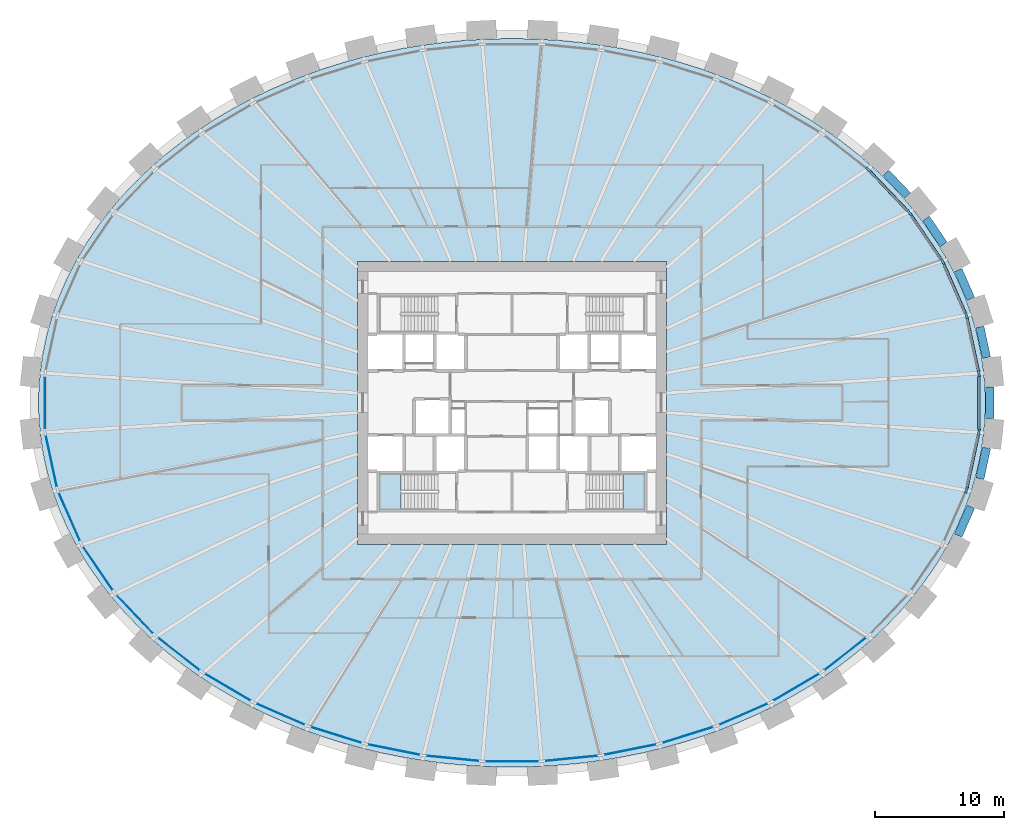
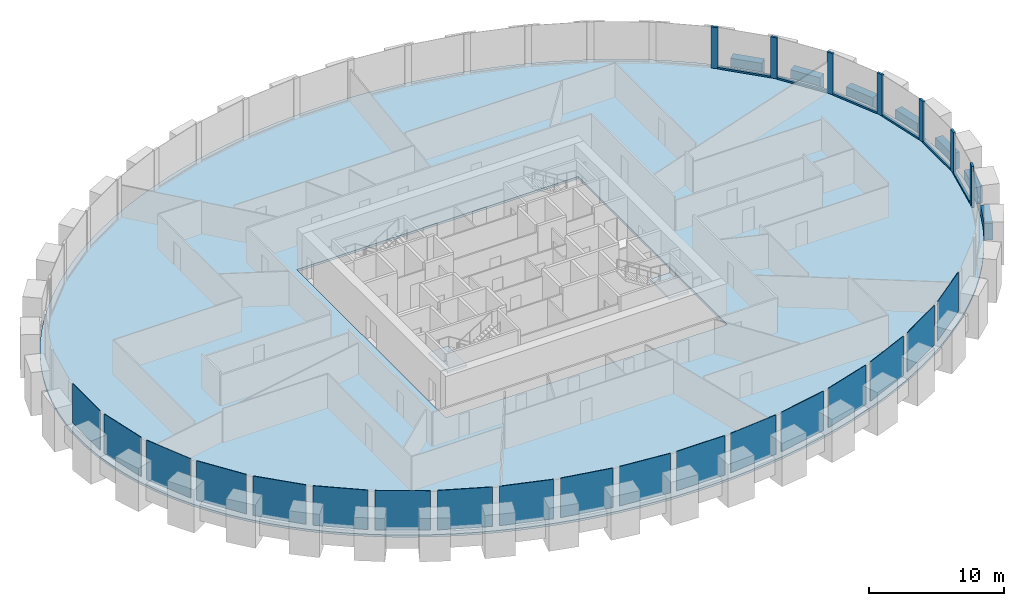
# One storey, part 4 of 10: 18 plates, 13 members, 7 beams, 3 slabs, 3 elements without a shape of their own.
"""IFC4 building model written with IfcOpenShell, lengths in metres."""

from ifc_helpers import new_model, si_unit, direction, frame, origin, origin_2d, place, context, subcontext, project, spatial, polyline, rectangle, outline, extrude, source, transform, mapped, material, layer, layer_set, material_profile, profile_set, type_object, element, aggregate, save


model = new_model("IFC4")

# Units and contexts
model_context = context("Model", 3, precision=1e-05, world=origin(), true_north=direction((0.0, 1.0)))
body_context = subcontext(model_context, "Body", "Model", "MODEL_VIEW")
ifc_project = project(units=[si_unit("LENGTHUNIT", "METRE"), si_unit("AREAUNIT", "SQUARE_METRE"), si_unit("VOLUMEUNIT", "CUBIC_METRE"), si_unit("PLANEANGLEUNIT", "RADIAN"), si_unit("MASSUNIT", "GRAM", prefix="KILO")], contexts=[model_context])

# Site, building, storey
site_placement = place(None, origin())
site = spatial("IfcSite", under=ifc_project, at=site_placement, CompositionType="ELEMENT")
building_placement = place(site_placement, origin())
building = spatial("IfcBuilding", under=site, at=building_placement, Name="Embergate Tower", CompositionType="ELEMENT")
storey_placement = place(building_placement, frame((0.0, 0.0, 167.699951171875)))
storey = spatial("IfcBuildingStorey", under=building, at=storey_placement, Name="L37", CompositionType="ELEMENT", Elevation=167.699951171875)

# Beams
ifc_material_1 = material(Name="Concrete C70", Category="concrete")
ifc_material_profile_1 = material_profile(ifc_material_1, rectangle(XDim=0.64990234375, YDim=1.5, at=origin_2d()), Name="RC 650x1500")
ifc_profile_set_1 = profile_set([ifc_material_profile_1], Name="Concrete C70")
beam_type = type_object("IfcBeamType", Name="Spandrel beam RC 650x1500 C70", PredefinedType="BEAM", material=ifc_profile_set_1)
shared_shape_1 = source(origin(), body_context, "Body", "SweptSolid", [
    extrude(rectangle(XDim=0.64990234375, YDim=1.5, at=origin_2d()), origin(), (0.0, 0.0, 1.0), 2.439697265625),
])
for number, where, z_axis, x_axis, name in (
    (1, (36.87109375, 3.508056640625, 0.0), (-0.210738503873, 0.977542471193, 0.0), (-0.977542471193, -0.210738503873, 0.0), "SPN-L37-00"),
    (2, (36.35693359375, -5.89306640625, 0.0), (0.210738503873, 0.977542471193, 0.0), (-0.977542471193, 0.210738503873, 0.0), "SPN-L37-42"),
):
    element("IfcBeam", number, at=place(storey_placement, frame(where, z_axis=z_axis, x_axis=x_axis)), inside=storey, type_object=beam_type, Name=name, PredefinedType="BEAM", context=body_context, shape_type="MappedRepresentation", body=[
        mapped(shared_shape_1, transform((0.0, 0.0, 0.0))),
    ])
shared_shape_2 = source(origin(), body_context, "Body", "SweptSolid", [
    extrude(rectangle(XDim=0.64990234375, YDim=1.5, at=origin_2d()), origin(), (0.0, 0.0, 1.0), 2.436279296875),
])
for number, where, z_axis, x_axis, name in (
    (3, (35.64990234375, 8.0810546875, 0.0), (-0.401838418441, 0.915710590452, 0.0), (-0.915710590452, -0.401838418441, 0.0), "SPN-L37-01"),
    (4, (34.6708984375, -10.31201171875, 0.0), (0.401838418441, 0.915710590452, 0.0), (-0.915710590452, 0.401838418441, 0.0), "SPN-L37-41"),
):
    element("IfcBeam", number, at=place(storey_placement, frame(where, z_axis=z_axis, x_axis=x_axis)), inside=storey, type_object=beam_type, Name=name, PredefinedType="BEAM", context=body_context, shape_type="MappedRepresentation", body=[
        mapped(shared_shape_2, transform((0.0, 0.0, 0.0))),
    ])
shared_shape_3 = source(origin(), body_context, "Body", "SweptSolid", [
    extrude(rectangle(XDim=0.64990234375, YDim=1.5, at=origin_2d()), origin(), (0.0, 0.0, 1.0), 2.42724609375),
])
beam_1_placement = place(storey_placement, frame((33.5400390625, 12.31494140625, 0.0), z_axis=(-0.562359541569, 0.826892826191, 0.0), x_axis=(-0.826892826191, -0.562359541569, 0.0)))
element("IfcBeam", 5, at=beam_1_placement, inside=storey, type_object=beam_type, Name="SPN-L37-02", PredefinedType="BEAM", context=body_context, shape_type="MappedRepresentation", body=[
    mapped(shared_shape_3, transform((0.0, 0.0, 0.0))),
])
shared_shape_4 = source(origin(), body_context, "Body", "SweptSolid", [
    extrude(rectangle(XDim=0.64990234375, YDim=1.5, at=origin_2d()), origin(), (0.0, 0.0, 1.0), 2.421630859375),
])
beam_2_placement = place(storey_placement, frame((30.72998046875, 16.111083984375, 0.0), z_axis=(-0.68996725843, 0.723840577955, 0.0), x_axis=(-0.723840577955, -0.68996725843, 0.0)))
element("IfcBeam", 6, at=beam_2_placement, inside=storey, type_object=beam_type, Name="SPN-L37-03", PredefinedType="BEAM", context=body_context, shape_type="MappedRepresentation", body=[
    mapped(shared_shape_4, transform((0.0, 0.0, 0.0))),
])
shared_shape_5 = source(origin(), body_context, "Body", "SweptSolid", [
    extrude(rectangle(XDim=0.64990234375, YDim=1.5, at=origin_2d()), origin(), (0.0, 0.0, 1.0), 2.44189453125),
])
beam_3_placement = place(storey_placement, frame((37.114013671875, -1.220947265625, 0.0), z_axis=(0.0, 1.0, 0.0), x_axis=(-1.0, 0.0, 0.0)))
element("IfcBeam", 7, at=beam_3_placement, inside=storey, type_object=beam_type, Name="SPN-L37-43", PredefinedType="BEAM", context=body_context, shape_type="MappedRepresentation", body=[
    mapped(shared_shape_5, transform((0.0, 0.0, 0.0))),
])

# Curtain wall, members
ifc_material_2 = material(Name="Aluminium and glass", Category="aluminium")
curtain_wall_type = type_object("IfcCurtainWallType", Name="Recessed office glazing", PredefinedType="NOTDEFINED", material=ifc_material_2)
curtain_wall_placement = place(storey_placement, origin())
curtain_wall = element("IfcCurtainWall", 8, at=curtain_wall_placement, inside=storey, type_object=curtain_wall_type, Name="Recessed office glazing ring", ObjectType="RECESSED OFFICE GLAZING", PredefinedType="USERDEFINED")
ifc_material_3 = material(Name="Aluminium, thermally broken", Category="aluminium")
ifc_material_profile_2 = material_profile(ifc_material_3, rectangle(XDim=0.179931640625, YDim=0.52001953125, at=origin_2d()), Name="AL 520x180")
ifc_profile_set_2 = profile_set([ifc_material_profile_2], Name="Aluminium, thermally broken")
member_type_1 = type_object("IfcMemberType", Name="Office mullion", PredefinedType="MULLION", material=ifc_profile_set_2)
shared_shape_6 = source(origin(), body_context, "Body", "SweptSolid", [
    extrude(rectangle(XDim=0.179931640625, YDim=0.52001953125, at=origin_2d()), origin(), (0.0, 0.0, 1.0), 3.699951171875),
])
member_1_placement = place(storey_placement, frame((36.281494140625, 2.287841796875, 0.0), z_axis=(0.0, 0.0, 1.0), x_axis=(-0.994384954736, -0.105823257345, 0.0)))
member_1 = element("IfcMember", 9, at=member_1_placement, type_object=member_type_1, Name="CW mullion 1", PredefinedType="MULLION", context=body_context, shape_type="MappedRepresentation", body=[
    mapped(shared_shape_6, transform((0.0, 0.0, 0.0))),
])
member_2_placement = place(storey_placement, frame((35.318115234375, 6.763427734375, 0.0), z_axis=(0.0, 0.0, 1.0), x_axis=(-0.951497797992, -0.307655554826, 0.0)))
member_2 = element("IfcMember", 10, at=member_2_placement, type_object=member_type_1, Name="CW mullion 2", PredefinedType="MULLION", context=body_context, shape_type="MappedRepresentation", body=[
    mapped(shared_shape_6, transform((0.0, 0.0, 0.0))),
])
member_3_placement = place(storey_placement, frame((33.4765625, 10.96240234375, 0.0), z_axis=(0.0, 0.0, 1.0), x_axis=(-0.875001895832, -0.484119491748, 0.0)))
member_3 = element("IfcMember", 11, at=member_3_placement, type_object=member_type_1, Name="CW mullion 3", PredefinedType="MULLION", context=body_context, shape_type="MappedRepresentation", body=[
    mapped(shared_shape_6, transform((0.0, 0.0, 0.0))),
])
member_4_placement = place(storey_placement, frame((30.89306640625, 14.76123046875, 0.0), z_axis=(0.0, 0.0, 1.0), x_axis=(-0.777872564355, -0.628422050555, 0.0)))
member_4 = element("IfcMember", 12, at=member_4_placement, type_object=member_type_1, Name="CW mullion 4", PredefinedType="MULLION", context=body_context, shape_type="MappedRepresentation", body=[
    mapped(shared_shape_6, transform((0.0, 0.0, 0.0))),
])
member_5_placement = place(storey_placement, frame((27.716796875, 18.092041015625, 0.0), z_axis=(0.0, 0.0, 1.0), x_axis=(-0.671226533956, -0.741252278319, 0.0)))
member_5 = element("IfcMember", 13, at=member_5_placement, type_object=member_type_1, Name="CW mullion 5", PredefinedType="MULLION", context=body_context, shape_type="MappedRepresentation", body=[
    mapped(shared_shape_6, transform((0.0, 0.0, 0.0))),
])
member_6_placement = place(storey_placement, frame((35.318115234375, -6.763427734375, 0.0), z_axis=(0.0, 0.0, 1.0), x_axis=(-0.951497797992, 0.307655554826, 0.0)))
member_6 = element("IfcMember", 14, at=member_6_placement, type_object=member_type_1, Name="CW mullion 43", PredefinedType="MULLION", context=body_context, shape_type="MappedRepresentation", body=[
    mapped(shared_shape_6, transform((0.0, 0.0, 0.0))),
])
member_7_placement = place(storey_placement, frame((36.281494140625, -2.287841796875, 0.0), z_axis=(0.0, 0.0, 1.0), x_axis=(-0.994384954736, 0.105823257345, 0.0)))
member_7 = element("IfcMember", 15, at=member_7_placement, type_object=member_type_1, Name="CW mullion 44", PredefinedType="MULLION", context=body_context, shape_type="MappedRepresentation", body=[
    mapped(shared_shape_6, transform((0.0, 0.0, 0.0))),
])
ifc_material_profile_3 = material_profile(ifc_material_3, rectangle(XDim=0.179931640625, YDim=0.14990234375, at=origin_2d()), Name="AL 150x180")
ifc_profile_set_3 = profile_set([ifc_material_profile_3], Name="Aluminium, thermally broken")
member_type_2 = type_object("IfcMemberType", Name="Office sill transom", PredefinedType="USERDEFINED", material=ifc_profile_set_3)
shared_shape_7 = source(origin(), body_context, "Body", "SweptSolid", [
    extrude(rectangle(XDim=0.179931640625, YDim=0.14990234375, at=origin_2d()), origin(), (0.0, 0.0, 1.0), 4.05810546875),
])
member_8_placement = place(storey_placement, frame((36.226806640625, 2.5419921875, 0.074951171875), z_axis=(-0.210441087969, 0.977606540738, 0.0), x_axis=(-0.977606540738, -0.210441087969, 0.0)))
member_8 = element("IfcMember", 16, at=member_8_placement, type_object=member_type_2, Name="CW transom 1.1", ObjectType="TRANSOM", PredefinedType="USERDEFINED", context=body_context, shape_type="MappedRepresentation", body=[
    mapped(shared_shape_7, transform((0.0, 0.0, 0.0))),
])
member_9_placement = place(storey_placement, frame((35.372802734375, -6.50927734375, 0.074951171875), z_axis=(0.210441087969, 0.977606540738, 0.0), x_axis=(-0.977606540738, 0.210441087969, 0.0)))
member_9 = element("IfcMember", 17, at=member_9_placement, type_object=member_type_2, Name="CW transom 43.1", ObjectType="TRANSOM", PredefinedType="USERDEFINED", context=body_context, shape_type="MappedRepresentation", body=[
    mapped(shared_shape_7, transform((0.0, 0.0, 0.0))),
])
shared_shape_8 = source(origin(), body_context, "Body", "SweptSolid", [
    extrude(rectangle(XDim=0.179931640625, YDim=0.14990234375, at=origin_2d()), origin(), (0.0, 0.0, 1.0), 4.06494140625),
])
member_10_placement = place(storey_placement, frame((35.213623046875, 7.001708984375, 0.074951171875), z_axis=(-0.401675633899, 0.91578200743, 0.0), x_axis=(-0.91578200743, -0.401675633899, 0.0)))
member_10 = element("IfcMember", 18, at=member_10_placement, type_object=member_type_2, Name="CW transom 2.1", ObjectType="TRANSOM", PredefinedType="USERDEFINED", context=body_context, shape_type="MappedRepresentation", body=[
    mapped(shared_shape_8, transform((0.0, 0.0, 0.0))),
])
shared_shape_9 = source(origin(), body_context, "Body", "SweptSolid", [
    extrude(rectangle(XDim=0.179931640625, YDim=0.14990234375, at=origin_2d()), origin(), (0.0, 0.0, 1.0), 4.073974609375),
])
member_11_placement = place(storey_placement, frame((33.330322265625, 11.177490234375, 0.074951171875), z_axis=(-0.562337885641, 0.826907553704, 0.0), x_axis=(-0.826907553704, -0.562337885641, 0.0)))
member_11 = element("IfcMember", 19, at=member_11_placement, type_object=member_type_2, Name="CW transom 3.1", ObjectType="TRANSOM", PredefinedType="USERDEFINED", context=body_context, shape_type="MappedRepresentation", body=[
    mapped(shared_shape_9, transform((0.0, 0.0, 0.0))),
])
shared_shape_10 = source(origin(), body_context, "Body", "SweptSolid", [
    extrude(rectangle(XDim=0.179931640625, YDim=0.14990234375, at=origin_2d()), origin(), (0.0, 0.0, 1.0), 4.082763671875),
])
member_12_placement = place(storey_placement, frame((30.713623046875, 14.949462890625, 0.074951171875), z_axis=(-0.690134333582, 0.723681284552, 0.0), x_axis=(-0.723681284552, -0.690134333582, 0.0)))
member_12 = element("IfcMember", 20, at=member_12_placement, type_object=member_type_2, Name="CW transom 4.1", ObjectType="TRANSOM", PredefinedType="USERDEFINED", context=body_context, shape_type="MappedRepresentation", body=[
    mapped(shared_shape_10, transform((0.0, 0.0, 0.0))),
])
shared_shape_11 = source(origin(), body_context, "Body", "SweptSolid", [
    extrude(rectangle(XDim=0.179931640625, YDim=0.14990234375, at=origin_2d()), origin(), (0.0, 0.0, 1.0), 4.0556640625),
])
member_13_placement = place(storey_placement, frame((36.281494140625, -2.02783203125, 0.074951171875), z_axis=(0.0, 1.0, 0.0), x_axis=(-1.0, 0.0, 0.0)))
member_13 = element("IfcMember", 21, at=member_13_placement, type_object=member_type_2, Name="CW transom 44.1", ObjectType="TRANSOM", PredefinedType="USERDEFINED", context=body_context, shape_type="MappedRepresentation", body=[
    mapped(shared_shape_11, transform((0.0, 0.0, 0.0))),
])

# Slab
ifc_material_4 = material(Name="Concrete C40", Category="concrete")
ifc_layer_1 = layer(ifc_material_4, 0.199951171875)
ifc_layer_set_1 = layer_set([ifc_layer_1], Name="Concrete C40")
slab_type_1 = type_object("IfcSlabType", Name="Composite floor slab C40 200", PredefinedType="FLOOR", material=ifc_layer_set_1)
shared_shape_12 = source(origin(), body_context, "Body", "SweptSolid", [
    extrude(outline(polyline([(0.0, 0.0), (1.55615234375, 0.0), (3.111083984375, 0.051025390625), (4.6669921875, 0.153076171875), (6.215087890625, 0.30517578125), (7.754150390625, 0.507080078125), (9.296142578125, 0.76318359375), (10.822021484375, 1.069091796875), (12.3291015625, 1.425048828125), (13.840087890625, 1.837158203125), (15.3251953125, 2.300048828125), (16.782958984375, 2.81201171875), (18.244140625, 3.38623046875), (19.670166015625, 4.010009765625), (21.05810546875, 4.68115234375), (22.445068359375, 5.422119140625), (23.7861328125, 6.210205078125), (25.0791015625, 7.045166015625), (26.363037109375, 7.95703125), (27.590087890625, 8.9140625), (28.756103515625, 9.9150390625), (29.900146484375, 10.9990234375), (30.97412109375, 12.125), (31.97412109375, 13.2900390625), (32.93310546875, 14.5400390625), (33.80712890625, 15.826171875), (34.594970703125, 17.14501953125), (35.317138671875, 18.541015625), (35.942138671875, 19.965087890625), (36.467041015625, 21.4130859375), (36.901123046875, 22.917236328125), (37.22802734375, 24.43603515625), (37.447021484375, 25.968017578125), (37.55810546875, 27.52001953125), (37.55810546875, 29.07421875), (37.447021484375, 30.626220703125), (37.22802734375, 32.158203125), (36.901123046875, 33.677001953125), (36.467041015625, 35.18115234375), (35.942138671875, 36.629150390625), (35.317138671875, 38.05322265625), (34.594970703125, 39.44921875), (33.80712890625, 40.76806640625), (32.93310546875, 42.05419921875), (31.97412109375, 43.30419921875), (30.97412109375, 44.46923828125), (29.900146484375, 45.59521484375), (28.756103515625, 46.67919921875), (27.590087890625, 47.68017578125), (26.363037109375, 48.63720703125), (25.0791015625, 49.549072265625), (23.7861328125, 50.384033203125), (22.445068359375, 51.172119140625), (21.05810546875, 51.9130859375), (19.670166015625, 52.584228515625), (18.244140625, 53.2080078125), (16.782958984375, 53.7822265625), (15.3251953125, 54.294189453125), (13.840087890625, 54.757080078125), (12.3291015625, 55.169189453125), (10.822021484375, 55.525146484375), (9.296142578125, 55.8310546875), (7.754150390625, 56.087158203125), (6.215087890625, 56.2890625), (4.6669921875, 56.441162109375), (3.111083984375, 56.543212890625), (1.55615234375, 56.59423828125), (0.0, 56.59423828125), (-1.554931640625, 56.543212890625), (-3.11083984375, 56.441162109375), (-4.658935546875, 56.2890625), (-6.197998046875, 56.087158203125), (-7.739990234375, 55.8310546875), (-9.265869140625, 55.525146484375), (-10.77294921875, 55.169189453125), (-12.283935546875, 54.757080078125), (-13.76904296875, 54.294189453125), (-15.226806640625, 53.7822265625), (-16.68798828125, 53.2080078125), (-18.114013671875, 52.584228515625), (-19.501953125, 51.9130859375), (-20.888916015625, 51.172119140625), (-22.22998046875, 50.384033203125), (-23.52294921875, 49.549072265625), (-24.806884765625, 48.63720703125), (-26.033935546875, 47.68017578125), (-27.199951171875, 46.67919921875), (-28.343994140625, 45.59521484375), (-29.41796875, 44.46923828125), (-30.41796875, 43.30419921875), (-31.376953125, 42.05419921875), (-32.2509765625, 40.76806640625), (-33.038818359375, 39.44921875), (-33.760986328125, 38.05322265625), (-34.385986328125, 36.629150390625), (-34.910888671875, 35.18115234375), (-35.344970703125, 33.677001953125), (-35.671875, 32.158203125), (-35.890869140625, 30.626220703125), (-36.001953125, 29.07421875), (-36.001953125, 27.52001953125), (-35.890869140625, 25.968017578125), (-35.671875, 24.43603515625), (-35.344970703125, 22.917236328125), (-34.910888671875, 21.4130859375), (-34.385986328125, 19.965087890625), (-33.760986328125, 18.541015625), (-33.038818359375, 17.14501953125), (-32.2509765625, 15.826171875), (-31.376953125, 14.5400390625), (-30.41796875, 13.2900390625), (-29.41796875, 12.125), (-28.343994140625, 10.9990234375), (-27.199951171875, 9.9150390625), (-26.033935546875, 8.9140625), (-24.806884765625, 7.95703125), (-23.52294921875, 7.045166015625), (-22.22998046875, 6.210205078125), (-20.888916015625, 5.422119140625), (-19.501953125, 4.68115234375), (-18.114013671875, 4.010009765625), (-16.68798828125, 3.38623046875), (-15.226806640625, 2.81201171875), (-13.76904296875, 2.300048828125), (-12.283935546875, 1.837158203125), (-10.77294921875, 1.425048828125), (-9.265869140625, 1.069091796875), (-7.739990234375, 0.76318359375), (-6.197998046875, 0.507080078125), (-4.658935546875, 0.30517578125), (-3.11083984375, 0.153076171875), (-1.554931640625, 0.051025390625), (0.0, 0.0)]), holes=[polyline([(-11.221923828125, 17.297119140625), (-11.221923828125, 39.297119140625), (12.778076171875, 39.297119140625), (12.778076171875, 17.297119140625), (-11.221923828125, 17.297119140625)])]), origin(), (0.0, 0.0, 1.0), 0.199951171875),
])
slab_1_placement = place(storey_placement, frame((-0.778076171875, -28.297119140625, -0.199951171875)))
element("IfcSlab", 22, at=slab_1_placement, inside=storey, type_object=slab_type_1, Name="SLB-L37-00", PredefinedType="FLOOR", context=body_context, shape_type="MappedRepresentation", body=[
    mapped(shared_shape_12, transform((0.0, 0.0, 0.0))),
])

# Plate
ifc_material_5 = material(Name="Triple glazing, low-emissivity coating", Category="glass")
ifc_layer_2 = layer(ifc_material_5, 0.035888671875)
ifc_layer_set_2 = layer_set([ifc_layer_2], Name="Triple glazing, low-emissivity coating")
plate_type = type_object("IfcPlateType", Name="Office glazing unit", PredefinedType="CURTAIN_PANEL", material=ifc_layer_set_2)
shared_shape_13 = source(origin(), body_context, "Body", "SweptSolid", [
    extrude(rectangle(XDim=4.05810546875, YDim=0.035888671875, at=origin_2d()), origin(), (0.0, 0.0, 1.0), 3.550048828125),
])
plate_1_placement = place(storey_placement, frame((-35.7998046875, -4.525634765625, 0.14990234375), z_axis=(0.0, 0.0, 1.0), x_axis=(0.210398391177, -0.97761573074, 0.0)))
plate_1 = element("IfcPlate", 23, at=plate_1_placement, type_object=plate_type, Name="CW panel 23.1", PredefinedType="CURTAIN_PANEL", context=body_context, shape_type="MappedRepresentation", body=[
    mapped(shared_shape_13, transform((0.0, 0.0, 0.0))),
])

shared_shape_14 = source(origin(), body_context, "Body", "SweptSolid", [
    extrude(rectangle(XDim=4.065185546875, YDim=0.035888671875, at=origin_2d()), origin(), (0.0, 0.0, 1.0), 3.550048828125),
])
plate_2_placement = place(storey_placement, frame((-34.397216796875, -8.863037109375, 0.14990234375), z_axis=(0.0, 0.0, 1.0), x_axis=(0.401652101157, -0.91579232888, 0.0)))
plate_2 = element("IfcPlate", 24, at=plate_2_placement, type_object=plate_type, Name="CW panel 24.1", PredefinedType="CURTAIN_PANEL", context=body_context, shape_type="MappedRepresentation", body=[
    mapped(shared_shape_14, transform((0.0, 0.0, 0.0))),
])

shared_shape_15 = source(origin(), body_context, "Body", "SweptSolid", [
    extrude(rectangle(XDim=4.073974609375, YDim=0.035888671875, at=origin_2d()), origin(), (0.0, 0.0, 1.0), 3.550048828125),
])
plate_3_placement = place(storey_placement, frame((-32.184814453125, -12.86181640625, 0.14990234375), z_axis=(0.0, 0.0, 1.0), x_axis=(0.562341741915, -0.826904931234, 0.0)))
plate_3 = element("IfcPlate", 25, at=plate_3_placement, type_object=plate_type, Name="CW panel 25.1", PredefinedType="CURTAIN_PANEL", context=body_context, shape_type="MappedRepresentation", body=[
    mapped(shared_shape_15, transform((0.0, 0.0, 0.0))),
])

shared_shape_16 = source(origin(), body_context, "Body", "SweptSolid", [
    extrude(rectangle(XDim=4.08251953125, YDim=0.035888671875, at=origin_2d()), origin(), (0.0, 0.0, 1.0), 3.550048828125),
])
plate_4_placement = place(storey_placement, frame((-29.304931640625, -16.4267578125, 0.14990234375), z_axis=(0.0, 0.0, 1.0), x_axis=(0.690135047526, -0.723680603703, 0.0)))
plate_4 = element("IfcPlate", 26, at=plate_4_placement, type_object=plate_type, Name="CW panel 26.1", PredefinedType="CURTAIN_PANEL", context=body_context, shape_type="MappedRepresentation", body=[
    mapped(shared_shape_16, transform((0.0, 0.0, 0.0))),
])

shared_shape_17 = source(origin(), body_context, "Body", "SweptSolid", [
    extrude(rectangle(XDim=4.090087890625, YDim=0.035888671875, at=origin_2d()), origin(), (0.0, 0.0, 1.0), 3.550048828125),
])
plate_5_placement = place(storey_placement, frame((-25.899658203125, -19.510498046875, 0.14990234375), z_axis=(0.0, 0.0, 1.0), x_axis=(0.788320119254, -0.615265300158, 0.0)))
plate_5 = element("IfcPlate", 27, at=plate_5_placement, type_object=plate_type, Name="CW panel 27.1", PredefinedType="CURTAIN_PANEL", context=body_context, shape_type="MappedRepresentation", body=[
    mapped(shared_shape_17, transform((0.0, 0.0, 0.0))),
])

plate_6_placement = place(storey_placement, frame((25.899658203125, -19.510498046875, 0.14990234375), z_axis=(0.0, 0.0, 1.0), x_axis=(0.788320119254, 0.615265300158, 0.0)))
plate_6 = element("IfcPlate", 28, at=plate_6_placement, type_object=plate_type, Name="CW panel 39.1", PredefinedType="CURTAIN_PANEL", context=body_context, shape_type="MappedRepresentation", body=[
    mapped(shared_shape_17, transform((0.0, 0.0, 0.0))),
])

shared_shape_18 = source(origin(), body_context, "Body", "SweptSolid", [
    extrude(rectangle(XDim=4.09619140625, YDim=0.035888671875, at=origin_2d()), origin(), (0.0, 0.0, 1.0), 3.550048828125),
])
plate_7_placement = place(storey_placement, frame((-22.0927734375, -22.098388671875, 0.14990234375), z_axis=(0.0, 0.0, 1.0), x_axis=(0.862053167811, -0.50681785275, 0.0)))
plate_7 = element("IfcPlate", 29, at=plate_7_placement, type_object=plate_type, Name="CW panel 28.1", PredefinedType="CURTAIN_PANEL", context=body_context, shape_type="MappedRepresentation", body=[
    mapped(shared_shape_18, transform((0.0, 0.0, 0.0))),
])

plate_8_placement = place(storey_placement, frame((22.0927734375, -22.098388671875, 0.14990234375), z_axis=(0.0, 0.0, 1.0), x_axis=(0.862053167811, 0.50681785275, 0.0)))
plate_8 = element("IfcPlate", 30, at=plate_8_placement, type_object=plate_type, Name="CW panel 38.1", PredefinedType="CURTAIN_PANEL", context=body_context, shape_type="MappedRepresentation", body=[
    mapped(shared_shape_18, transform((0.0, 0.0, 0.0))),
])

shared_shape_19 = source(origin(), body_context, "Body", "SweptSolid", [
    extrude(rectangle(XDim=4.1005859375, YDim=0.035888671875, at=origin_2d()), origin(), (0.0, 0.0, 1.0), 3.550048828125),
])
plate_9_placement = place(storey_placement, frame((-17.986328125, -24.193603515625, 0.14990234375), z_axis=(0.0, 0.0, 1.0), x_axis=(0.916236211741, -0.400638495772, 0.0)))
plate_9 = element("IfcPlate", 31, at=plate_9_placement, type_object=plate_type, Name="CW panel 29.1", PredefinedType="CURTAIN_PANEL", context=body_context, shape_type="MappedRepresentation", body=[
    mapped(shared_shape_19, transform((0.0, 0.0, 0.0))),
])

plate_10_placement = place(storey_placement, frame((17.986328125, -24.193603515625, 0.14990234375), z_axis=(0.0, 0.0, 1.0), x_axis=(0.916236211741, 0.400638495772, 0.0)))
plate_10 = element("IfcPlate", 32, at=plate_10_placement, type_object=plate_type, Name="CW panel 37.1", PredefinedType="CURTAIN_PANEL", context=body_context, shape_type="MappedRepresentation", body=[
    mapped(shared_shape_19, transform((0.0, 0.0, 0.0))),
])

shared_shape_20 = source(origin(), body_context, "Body", "SweptSolid", [
    extrude(rectangle(XDim=4.10400390625, YDim=0.035888671875, at=origin_2d()), origin(), (0.0, 0.0, 1.0), 3.550048828125),
])
plate_11_placement = place(storey_placement, frame((-13.662109375, -25.806640625, 0.14990234375), z_axis=(0.0, 0.0, 1.0), x_axis=(0.954772217174, -0.297338213676, 0.0)))
plate_11 = element("IfcPlate", 33, at=plate_11_placement, type_object=plate_type, Name="CW panel 30.1", PredefinedType="CURTAIN_PANEL", context=body_context, shape_type="MappedRepresentation", body=[
    mapped(shared_shape_20, transform((0.0, 0.0, 0.0))),
])

plate_12_placement = place(storey_placement, frame((13.662109375, -25.806640625, 0.14990234375), z_axis=(0.0, 0.0, 1.0), x_axis=(0.954772217174, 0.297338213676, 0.0)))
plate_12 = element("IfcPlate", 34, at=plate_12_placement, type_object=plate_type, Name="CW panel 36.1", PredefinedType="CURTAIN_PANEL", context=body_context, shape_type="MappedRepresentation", body=[
    mapped(shared_shape_20, transform((0.0, 0.0, 0.0))),
])

shared_shape_21 = source(origin(), body_context, "Body", "SweptSolid", [
    extrude(rectangle(XDim=4.106201171875, YDim=0.035888671875, at=origin_2d()), origin(), (0.0, 0.0, 1.0), 3.550048828125),
])
plate_13_placement = place(storey_placement, frame((-9.18701171875, -26.948974609375, 0.14990234375), z_axis=(0.0, 0.0, 1.0), x_axis=(0.980475907409, -0.196639250889, 0.0)))
plate_13 = element("IfcPlate", 35, at=plate_13_placement, type_object=plate_type, Name="CW panel 31.1", PredefinedType="CURTAIN_PANEL", context=body_context, shape_type="MappedRepresentation", body=[
    mapped(shared_shape_21, transform((0.0, 0.0, 0.0))),
])

plate_14_placement = place(storey_placement, frame((9.18701171875, -26.948974609375, 0.14990234375), z_axis=(0.0, 0.0, 1.0), x_axis=(0.980475907409, 0.196639250889, 0.0)))
plate_14 = element("IfcPlate", 36, at=plate_14_placement, type_object=plate_type, Name="CW panel 35.1", PredefinedType="CURTAIN_PANEL", context=body_context, shape_type="MappedRepresentation", body=[
    mapped(shared_shape_21, transform((0.0, 0.0, 0.0))),
])

shared_shape_22 = source(origin(), body_context, "Body", "SweptSolid", [
    extrude(rectangle(XDim=4.107421875, YDim=0.035888671875, at=origin_2d()), origin(), (0.0, 0.0, 1.0), 3.550048828125),
])
plate_15_placement = place(storey_placement, frame((-4.616455078125, -27.630126953125, 0.14990234375), z_axis=(0.0, 0.0, 1.0), x_axis=(0.995203184788, -0.097829550688, 0.0)))
plate_15 = element("IfcPlate", 37, at=plate_15_placement, type_object=plate_type, Name="CW panel 32.1", PredefinedType="CURTAIN_PANEL", context=body_context, shape_type="MappedRepresentation", body=[
    mapped(shared_shape_22, transform((0.0, 0.0, 0.0))),
])

plate_16_placement = place(storey_placement, frame((4.616455078125, -27.630126953125, 0.14990234375), z_axis=(0.0, 0.0, 1.0), x_axis=(0.995203184788, 0.097829550688, 0.0)))
plate_16 = element("IfcPlate", 38, at=plate_16_placement, type_object=plate_type, Name="CW panel 34.1", PredefinedType="CURTAIN_PANEL", context=body_context, shape_type="MappedRepresentation", body=[
    mapped(shared_shape_22, transform((0.0, 0.0, 0.0))),
])

shared_shape_23 = source(origin(), body_context, "Body", "SweptSolid", [
    extrude(rectangle(XDim=4.10791015625, YDim=0.035888671875, at=origin_2d()), origin(), (0.0, 0.0, 1.0), 3.550048828125),
])
plate_17_placement = place(storey_placement, frame((0.0, -27.8564453125, 0.14990234375), z_axis=(0.0, 0.0, 1.0), x_axis=(1.0, 0.0, 0.0)))
plate_17 = element("IfcPlate", 39, at=plate_17_placement, type_object=plate_type, Name="CW panel 33.1", PredefinedType="CURTAIN_PANEL", context=body_context, shape_type="MappedRepresentation", body=[
    mapped(shared_shape_23, transform((0.0, 0.0, 0.0))),
])

shared_shape_24 = source(origin(), body_context, "Body", "SweptSolid", [
    extrude(rectangle(XDim=4.055419921875, YDim=0.035888671875, at=origin_2d()), origin(), (0.0, 0.0, 1.0), 3.550048828125),
])
plate_18_placement = place(storey_placement, frame((-36.281494140625, 0.0, 0.14990234375), z_axis=(0.0, 0.0, 1.0), x_axis=(0.0, -1.0, 0.0)))
plate_18 = element("IfcPlate", 40, at=plate_18_placement, type_object=plate_type, Name="CW panel 22.1", PredefinedType="CURTAIN_PANEL", context=body_context, shape_type="MappedRepresentation", body=[
    mapped(shared_shape_24, transform((0.0, 0.0, 0.0))),
])

aggregate(curtain_wall, [member_1, member_2, member_3, member_4, member_5, member_6, member_7, member_8, member_10, member_11, member_12, plate_18, plate_1, plate_2, plate_3, plate_4, plate_5, plate_7, plate_9, plate_11, plate_13, plate_15, plate_17, plate_16, plate_14, plate_12, plate_10, plate_8, plate_6, member_9, member_13])

# Stair, slab
ifc_material_6 = material(Name="Exit stair")
stair_type = type_object("IfcStairType", Name="Exit stair", PredefinedType="HALF_TURN_STAIR", material=ifc_material_6)
stair_1_placement = place(storey_placement, origin())
stair_1 = element("IfcStair", 41, at=stair_1_placement, inside=storey, type_object=stair_type, Name="L37 Exit stair 3", PredefinedType="HALF_TURN_STAIR")
ifc_layer_3 = layer(ifc_material_4, 0.199951171875)
ifc_layer_set_3 = layer_set([ifc_layer_3], Name="Concrete C40")
slab_type_2 = type_object("IfcSlabType", Name="Stair landing reinforced concrete", PredefinedType="LANDING", material=ifc_layer_set_3)
shared_shape_25 = source(origin(), body_context, "Body", "SweptSolid", [
    extrude(outline(polyline([(0.0, 0.0), (1.68994140625, 0.0), (1.68994140625, 2.800048828125), (0.0, 2.800048828125), (0.0, 0.0)])), origin(), (0.0, 0.0, 1.0), 0.199951171875),
])
slab_2_placement = place(storey_placement, frame((-10.300048828125, -8.300048828125, 1.75)))
slab_2 = element("IfcSlab", 42, at=slab_2_placement, type_object=slab_type_2, Name="ST3 landing 1", PredefinedType="LANDING", context=body_context, shape_type="MappedRepresentation", body=[
    mapped(shared_shape_25, transform((0.0, 0.0, 0.0))),
])
aggregate(stair_1, [slab_2])

stair_2_placement = place(storey_placement, origin())
stair_2 = element("IfcStair", 43, at=stair_2_placement, inside=storey, type_object=stair_type, Name="L37 Exit stair 4", PredefinedType="HALF_TURN_STAIR")
slab_3_placement = place(storey_placement, frame((8.610107421875, -8.300048828125, 1.75)))
slab_3 = element("IfcSlab", 44, at=slab_3_placement, type_object=slab_type_2, Name="ST4 landing 1", PredefinedType="LANDING", context=body_context, shape_type="MappedRepresentation", body=[
    mapped(shared_shape_25, transform((0.0, 0.0, 0.0))),
])
aggregate(stair_2, [slab_3])

save(model, "model.ifc")
